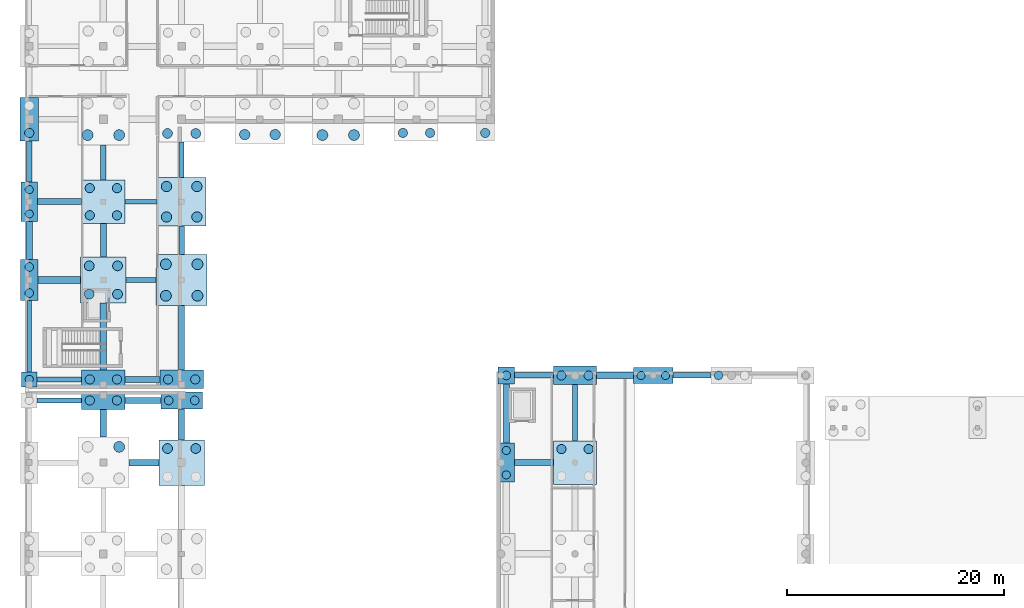
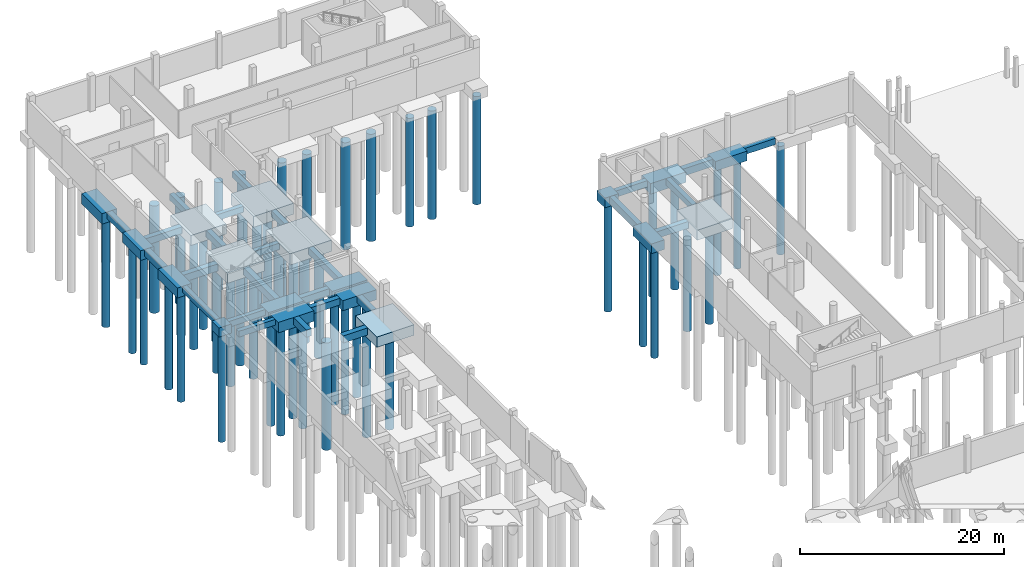
# One storey, part 6 of 41: 54 piles, 44 footings.
"""IFC4 building model written with IfcOpenShell, lengths in metres."""

from ifc_helpers import new_model, si_unit, direction, frame, origin, origin_2d, place, context, subcontext, project, spatial, rectangle, circle, extrude, material, material_profile, profile_set, type_object, element, save


model = new_model("IFC4")

# Units and contexts
model_context = context("Model", 3, precision=1e-05, world=origin(), true_north=direction((0.0, 1.0)))
body_context = subcontext(model_context, "Body", "Model", "MODEL_VIEW")
ifc_project = project(units=[si_unit("LENGTHUNIT", "METRE"), si_unit("AREAUNIT", "SQUARE_METRE"), si_unit("VOLUMEUNIT", "CUBIC_METRE"), si_unit("PLANEANGLEUNIT", "RADIAN"), si_unit("MASSUNIT", "GRAM", prefix="KILO")], contexts=[model_context])

# Site, building, storey
site_placement = place(None, origin())
site = spatial("IfcSite", under=ifc_project, at=site_placement, CompositionType="ELEMENT")
building_placement = place(site_placement, origin())
building = spatial("IfcBuilding", under=site, at=building_placement, Name="Vardoun Plaza Health Centre", CompositionType="ELEMENT")
storey_placement = place(building_placement, frame((0.0, 0.0, -4.5)))
storey = spatial("IfcBuildingStorey", under=building, at=storey_placement, Name="B1", CompositionType="ELEMENT", Elevation=-4.5)

# Footings
ifc_material_1 = material(Name="Concrete C40/50", Category="concrete")
footing_type_1 = type_object("IfcFootingType", Name="PC-01", PredefinedType="PILE_CAP", material=ifc_material_1)
footing_1_placement = place(storey_placement, frame((4.8798828125, 77.56005859375, -1.52001953125), z_axis=(0.0, 0.0, 1.0), x_axis=(1.0, 0.0, 0.0)))
element("IfcFooting", 1, at=footing_1_placement, inside=storey, type_object=footing_type_1, Name="V3 Pile Cap PC-V3-01", PredefinedType="PILE_CAP", context=body_context, shape_type="SweptSolid", body=[
    extrude(rectangle(XDim=1.39990234375, YDim=1.39990234375, at=origin_2d()), origin(), (0.0, 0.0, 1.0), 1.10009765625),
])
ifc_material_2 = material(Name="Concrete C40/50", Category="concrete")
footing_type_2 = type_object("IfcFootingType", Name="PC-02", PredefinedType="PILE_CAP", material=ifc_material_2)
footing_2_placement = place(storey_placement, frame((48.760009765625, 77.919921875, -1.570068359375), z_axis=(0.0, 0.0, 1.0), x_axis=(1.0, 0.0, 0.0)))
element("IfcFooting", 2, at=footing_2_placement, inside=storey, type_object=footing_type_2, Name="V1 Pile Cap PC-V1-06", PredefinedType="PILE_CAP", context=body_context, shape_type="SweptSolid", body=[
    extrude(rectangle(XDim=1.550048828125, YDim=1.550048828125, at=origin_2d()), origin(), (0.0, 0.0, 1.0), 1.14990234375),
])
ifc_material_3 = material(Name="Concrete C40/50", Category="concrete")
footing_type_3 = type_object("IfcFootingType", Name="PC-03", PredefinedType="PILE_CAP", material=ifc_material_3)
for number, where, z_axis, x_axis, name in (
    (3, (48.760009765625, 69.89990234375, -1.570068359375), (0.0, 0.0, 1.0), (0.0, 1.0, 0.0), "V1 Pile Cap PC-V1-05"),
    (4, (62.280029296875, 77.919921875, -1.570068359375), (0.0, 0.0, 1.0), (1.0, 0.0, 0.0), "V1 Pile Cap PC-V1-14"),
    (5, (4.8798828125, 93.89990234375, -1.570068359375), (0.0, 0.0, 1.0), (0.0, 1.0, 0.0), "V3 Pile Cap PC-V3-03"),
):
    element("IfcFooting", number, at=place(storey_placement, frame(where, z_axis=z_axis, x_axis=x_axis)), inside=storey, type_object=footing_type_3, Name=name, PredefinedType="PILE_CAP", context=body_context, shape_type="SweptSolid", body=[
        extrude(rectangle(XDim=3.60009765625, YDim=1.5, at=origin_2d()), origin(), (0.0, 0.0, 1.0), 1.14990234375),
    ])
ifc_material_4 = material(Name="Concrete C40/50", Category="concrete")
footing_type_4 = type_object("IfcFootingType", Name="PC-04", PredefinedType="PILE_CAP", material=ifc_material_4)
for number, where, z_axis, x_axis, name in (
    (6, (18.89990234375, 75.6201171875, -1.6201171875), (0.0, 0.0, 1.0), (1.0, 0.0, 0.0), "V2 Pile Cap PC-V2-30"),
    (7, (4.8798828125, 86.699951171875, -1.6201171875), (0.0, 0.0, 1.0), (0.0, 1.0, 0.0), "V3 Pile Cap PC-V3-02"),
):
    element("IfcFooting", number, at=place(storey_placement, frame(where, z_axis=z_axis, x_axis=x_axis)), inside=storey, type_object=footing_type_4, Name=name, PredefinedType="PILE_CAP", context=body_context, shape_type="SweptSolid", body=[
        extrude(rectangle(XDim=3.800048828125, YDim=1.60009765625, at=origin_2d()), origin(), (0.0, 0.0, 1.0), 1.199951171875),
    ])
ifc_material_5 = material(Name="Concrete C40/50", Category="concrete")
footing_type_5 = type_object("IfcFootingType", Name="PC-05", PredefinedType="PILE_CAP", material=ifc_material_5)
for number, where, z_axis, x_axis, name in (
    (8, (55.080078125, 77.919921875, -1.669921875), (0.0, 0.0, 1.0), (1.0, 0.0, 0.0), "V1 Pile Cap PC-V1-12"),
    (9, (11.699951171875, 75.6201171875, -1.669921875), (0.0, 0.0, 1.0), (1.0, 0.0, 0.0), "V2 Pile Cap PC-V2-20"),
    (10, (4.8798828125, 101.47998046875, -1.669921875), (0.0, 0.0, 1.0), (0.0, 1.0, 0.0), "V3 Pile Cap PC-V3-04"),
    (11, (11.699951171875, 77.56005859375, -1.669921875), (0.0, 0.0, 1.0), (1.0, 0.0, 0.0), "V3 Pile Cap PC-V3-07"),
    (12, (18.89990234375, 77.56005859375, -1.669921875), (0.0, 0.0, 1.0), (1.0, 0.0, 0.0), "V3 Pile Cap PC-V3-13"),
):
    element("IfcFooting", number, at=place(storey_placement, frame(where, z_axis=z_axis, x_axis=x_axis)), inside=storey, type_object=footing_type_5, Name=name, PredefinedType="PILE_CAP", context=body_context, shape_type="SweptSolid", body=[
        extrude(rectangle(XDim=4.0, YDim=1.699951171875, at=origin_2d()), origin(), (0.0, 0.0, 1.0), 1.25),
    ])
ifc_material_6 = material(Name="Concrete C40/50", Category="concrete")
footing_type_6 = type_object("IfcFootingType", Name="PC-06", PredefinedType="PILE_CAP", material=ifc_material_6)
for number, where, z_axis, x_axis, name in (
    (13, (55.080078125, 69.89990234375, -1.6201171875), (0.0, 0.0, 1.0), (1.0, 0.0, 0.0), "V1 Pile Cap PC-V1-11"),
    (14, (11.699951171875, 93.89990234375, -1.6201171875), (0.0, 0.0, 1.0), (1.0, 0.0, 0.0), "V3 Pile Cap PC-V3-09"),
):
    element("IfcFooting", number, at=place(storey_placement, frame(where, z_axis=z_axis, x_axis=x_axis)), inside=storey, type_object=footing_type_6, Name=name, PredefinedType="PILE_CAP", context=body_context, shape_type="SweptSolid", body=[
        extrude(rectangle(XDim=4.0, YDim=4.0, at=origin_2d()), origin(), (0.0, 0.0, 1.0), 1.199951171875),
    ])
ifc_material_7 = material(Name="Concrete C40/50", Category="concrete")
footing_type_7 = type_object("IfcFootingType", Name="PC-07", PredefinedType="PILE_CAP", material=ifc_material_7)
for number, where, z_axis, x_axis, name in (
    (15, (18.89990234375, 69.89990234375, -1.669921875), (0.0, 0.0, 1.0), (1.0, 0.0, 0.0), "V2 Pile Cap PC-V2-29"),
    (16, (11.699951171875, 86.699951171875, -1.669921875), (0.0, 0.0, 1.0), (1.0, 0.0, 0.0), "V3 Pile Cap PC-V3-08"),
):
    element("IfcFooting", number, at=place(storey_placement, frame(where, z_axis=z_axis, x_axis=x_axis)), inside=storey, type_object=footing_type_7, Name=name, PredefinedType="PILE_CAP", context=body_context, shape_type="SweptSolid", body=[
        extrude(rectangle(XDim=4.199951171875, YDim=4.199951171875, at=origin_2d()), origin(), (0.0, 0.0, 1.0), 1.25),
    ])
ifc_material_8 = material(Name="Concrete C40/50", Category="concrete")
footing_type_8 = type_object("IfcFootingType", Name="PC-08", PredefinedType="PILE_CAP", material=ifc_material_8)
footing_3_placement = place(storey_placement, frame((18.89990234375, 93.89990234375, -1.72021484375), z_axis=(0.0, 0.0, 1.0), x_axis=(1.0, 0.0, 0.0)))
element("IfcFooting", 17, at=footing_3_placement, inside=storey, type_object=footing_type_8, Name="V3 Pile Cap PC-V3-15", PredefinedType="PILE_CAP", context=body_context, shape_type="SweptSolid", body=[
    extrude(rectangle(XDim=4.5, YDim=4.5, at=origin_2d()), origin(), (0.0, 0.0, 1.0), 1.300048828125),
])
ifc_material_9 = material(Name="Concrete C40/50", Category="concrete")
footing_type_9 = type_object("IfcFootingType", Name="PC-09", PredefinedType="PILE_CAP", material=ifc_material_9)
footing_4_placement = place(storey_placement, frame((18.89990234375, 86.699951171875, -1.77001953125), z_axis=(0.0, 0.0, 1.0), x_axis=(1.0, 0.0, 0.0)))
element("IfcFooting", 18, at=footing_4_placement, inside=storey, type_object=footing_type_9, Name="V3 Pile Cap PC-V3-14", PredefinedType="PILE_CAP", context=body_context, shape_type="SweptSolid", body=[
    extrude(rectangle(XDim=4.699951171875, YDim=4.699951171875, at=origin_2d()), origin(), (0.0, 0.0, 1.0), 1.35009765625),
])
ifc_material_10 = material(Name="Concrete C40/50", Category="concrete")
ifc_material_profile_1 = material_profile(ifc_material_10, rectangle(XDim=0.449951171875, YDim=0.699951171875, at=origin_2d()), Name="GB 450x700")
ifc_profile_set_1 = profile_set([ifc_material_profile_1], Name="Concrete C40/50")
footing_type_10 = type_object("IfcFootingType", Name="GB-01", PredefinedType="FOOTING_BEAM", material=ifc_profile_set_1)
for number, where, z_axis, x_axis, name in (
    (19, (5.580078125, 75.6201171875, -0.77001953125), (1.0, 0.0, 0.0), (0.0, 1.0, 0.0), "V2 Ground Tie Beam 10"),
    (20, (5.580078125, 77.56005859375, -0.77001953125), (1.0, 0.0, 0.0), (0.0, 1.0, 0.0), "V3 Ground Tie Beam 1"),
):
    element("IfcFooting", number, at=place(storey_placement, frame(where, z_axis=z_axis, x_axis=x_axis)), inside=storey, type_object=footing_type_10, Name=name, PredefinedType="FOOTING_BEAM", context=body_context, shape_type="SweptSolid", body=[
        extrude(rectangle(XDim=0.449951171875, YDim=0.699951171875, at=origin_2d()), origin(), (0.0, 0.0, 1.0), 4.119873046875),
    ])
footing_5_placement = place(storey_placement, frame((13.699951171875, 93.900146484375, -0.77001953125), z_axis=(1.0, 0.0, 0.0), x_axis=(0.0, 1.0, 0.0)))
element("IfcFooting", 21, at=footing_5_placement, inside=storey, type_object=footing_type_10, Name="V3 Ground Tie Beam 9", PredefinedType="FOOTING_BEAM", context=body_context, shape_type="SweptSolid", body=[
    extrude(rectangle(XDim=0.449951171875, YDim=0.699951171875, at=origin_2d()), origin(), (0.0, 0.0, 1.0), 2.949951171875),
])
footing_6_placement = place(storey_placement, frame((4.8798828125, 78.260009765625, -0.77001953125), z_axis=(0.0, 1.0, 0.0), x_axis=(-1.0, 0.0, 0.0)))
element("IfcFooting", 22, at=footing_6_placement, inside=storey, type_object=footing_type_10, Name="V3 Ground Tie Beam 25", PredefinedType="FOOTING_BEAM", context=body_context, shape_type="SweptSolid", body=[
    extrude(rectangle(XDim=0.449951171875, YDim=0.699951171875, at=origin_2d()), origin(), (0.0, 0.0, 1.0), 6.5400390625),
])
footing_7_placement = place(storey_placement, frame((18.89990234375, 96.150146484375, -0.77001953125), z_axis=(0.0, 1.0, 0.0), x_axis=(-1.0, 0.0, 0.0)))
element("IfcFooting", 23, at=footing_7_placement, inside=storey, type_object=footing_type_10, Name="V3 Ground Tie Beam 37", PredefinedType="FOOTING_BEAM", context=body_context, shape_type="SweptSolid", body=[
    extrude(rectangle(XDim=0.449951171875, YDim=0.699951171875, at=origin_2d()), origin(), (0.0, 0.0, 1.0), 3.229736328125),
])
ifc_material_11 = material(Name="Concrete C40/50", Category="concrete")
ifc_material_profile_2 = material_profile(ifc_material_11, rectangle(XDim=0.5, YDim=0.75, at=origin_2d()), Name="GB 500x750")
ifc_profile_set_2 = profile_set([ifc_material_profile_2], Name="Concrete C40/50")
footing_type_11 = type_object("IfcFootingType", Name="GB-02", PredefinedType="FOOTING_BEAM", material=ifc_profile_set_2)
footing_8_placement = place(storey_placement, frame((49.534912109375, 77.919921875, -0.794921875), z_axis=(1.0, 0.0, 0.0), x_axis=(0.0, 1.0, 0.0)))
element("IfcFooting", 24, at=footing_8_placement, inside=storey, type_object=footing_type_11, Name="V1 Ground Tie Beam 6", PredefinedType="FOOTING_BEAM", context=body_context, shape_type="SweptSolid", body=[
    extrude(rectangle(XDim=0.5, YDim=0.75, at=origin_2d()), origin(), (0.0, 0.0, 1.0), 3.545166015625),
])
footing_9_placement = place(storey_placement, frame((64.080078125, 77.919921875, -0.794921875), z_axis=(1.0, 0.0, 0.0), x_axis=(0.0, 1.0, 0.0)))
element("IfcFooting", 25, at=footing_9_placement, inside=storey, type_object=footing_type_11, Name="V1 Ground Tie Beam 10", PredefinedType="FOOTING_BEAM", context=body_context, shape_type="SweptSolid", body=[
    extrude(rectangle(XDim=0.5, YDim=0.75, at=origin_2d()), origin(), (0.0, 0.0, 1.0), 3.5),
])
footing_10_placement = place(storey_placement, frame((55.080078125, 71.900146484375, -0.794921875), z_axis=(0.0, 1.0, 0.0), x_axis=(-1.0, 0.0, 0.0)))
element("IfcFooting", 26, at=footing_10_placement, inside=storey, type_object=footing_type_11, Name="V1 Ground Tie Beam 22", PredefinedType="FOOTING_BEAM", context=body_context, shape_type="SweptSolid", body=[
    extrude(rectangle(XDim=0.5, YDim=0.75, at=origin_2d()), origin(), (0.0, 0.0, 1.0), 5.169921875),
])
footing_11_placement = place(storey_placement, frame((13.800048828125, 86.699951171875, -0.794921875), z_axis=(1.0, 0.0, 0.0), x_axis=(0.0, 1.0, 0.0)))
element("IfcFooting", 27, at=footing_11_placement, inside=storey, type_object=footing_type_11, Name="V3 Ground Tie Beam 8", PredefinedType="FOOTING_BEAM", context=body_context, shape_type="SweptSolid", body=[
    extrude(rectangle(XDim=0.5, YDim=0.75, at=origin_2d()), origin(), (0.0, 0.0, 1.0), 2.75),
])
footing_12_placement = place(storey_placement, frame((11.699951171875, 95.900146484375, -0.794921875), z_axis=(0.0, 1.0, 0.0), x_axis=(-1.0, 0.0, 0.0)))
element("IfcFooting", 28, at=footing_12_placement, inside=storey, type_object=footing_type_11, Name="V3 Ground Tie Beam 32", PredefinedType="FOOTING_BEAM", context=body_context, shape_type="SweptSolid", body=[
    extrude(rectangle(XDim=0.5, YDim=0.75, at=origin_2d()), origin(), (0.0, 0.0, 1.0), 3.229736328125),
])
footing_13_placement = place(storey_placement, frame((18.89990234375, 89.050048828125, -0.794921875), z_axis=(0.0, 1.0, 0.0), x_axis=(-1.0, 0.0, 0.0)))
element("IfcFooting", 29, at=footing_13_placement, inside=storey, type_object=footing_type_11, Name="V3 Ground Tie Beam 36", PredefinedType="FOOTING_BEAM", context=body_context, shape_type="SweptSolid", body=[
    extrude(rectangle(XDim=0.5, YDim=0.75, at=origin_2d()), origin(), (0.0, 0.0, 1.0), 2.60009765625),
])
ifc_material_12 = material(Name="Concrete C40/50", Category="concrete")
ifc_material_profile_3 = material_profile(ifc_material_12, rectangle(XDim=0.550048828125, YDim=0.800048828125, at=origin_2d()), Name="GB 550x800")
ifc_profile_set_3 = profile_set([ifc_material_profile_3], Name="Concrete C40/50")
footing_type_12 = type_object("IfcFootingType", Name="GB-03", PredefinedType="FOOTING_BEAM", material=ifc_profile_set_3)
footing_14_placement = place(storey_placement, frame((49.510009765625, 69.900146484375, -0.820068359375), z_axis=(1.0, 0.0, 0.0), x_axis=(0.0, 1.0, 0.0)))
element("IfcFooting", 30, at=footing_14_placement, inside=storey, type_object=footing_type_12, Name="V1 Ground Tie Beam 5", PredefinedType="FOOTING_BEAM", context=body_context, shape_type="SweptSolid", body=[
    extrude(rectangle(XDim=0.550048828125, YDim=0.800048828125, at=origin_2d()), origin(), (0.0, 0.0, 1.0), 3.570068359375),
])
footing_15_placement = place(storey_placement, frame((48.760009765625, 71.699951171875, -0.820068359375), z_axis=(0.0, 1.0, 0.0), x_axis=(-1.0, 0.0, 0.0)))
element("IfcFooting", 31, at=footing_15_placement, inside=storey, type_object=footing_type_12, Name="V1 Ground Tie Beam 17", PredefinedType="FOOTING_BEAM", context=body_context, shape_type="SweptSolid", body=[
    extrude(rectangle(XDim=0.550048828125, YDim=0.800048828125, at=origin_2d()), origin(), (0.0, 0.0, 1.0), 5.445068359375),
])
footing_16_placement = place(storey_placement, frame((13.699951171875, 75.6201171875, -0.820068359375), z_axis=(1.0, 0.0, 0.0), x_axis=(0.0, 1.0, 0.0)))
element("IfcFooting", 32, at=footing_16_placement, inside=storey, type_object=footing_type_12, Name="V2 Ground Tie Beam 20", PredefinedType="FOOTING_BEAM", context=body_context, shape_type="SweptSolid", body=[
    extrude(rectangle(XDim=0.550048828125, YDim=0.800048828125, at=origin_2d()), origin(), (0.0, 0.0, 1.0), 3.300048828125),
])
footing_17_placement = place(storey_placement, frame((18.89990234375, 72.0, -0.820068359375), z_axis=(0.0, 1.0, 0.0), x_axis=(-1.0, 0.0, 0.0)))
element("IfcFooting", 33, at=footing_17_placement, inside=storey, type_object=footing_type_12, Name="V2 Ground Tie Beam 60", PredefinedType="FOOTING_BEAM", context=body_context, shape_type="SweptSolid", body=[
    extrude(rectangle(XDim=0.550048828125, YDim=0.800048828125, at=origin_2d()), origin(), (0.0, 0.0, 1.0), 2.820068359375),
])
footing_18_placement = place(storey_placement, frame((5.6298828125, 93.900146484375, -0.820068359375), z_axis=(1.0, 0.0, 0.0), x_axis=(0.0, 1.0, 0.0)))
element("IfcFooting", 34, at=footing_18_placement, inside=storey, type_object=footing_type_12, Name="V3 Ground Tie Beam 3", PredefinedType="FOOTING_BEAM", context=body_context, shape_type="SweptSolid", body=[
    extrude(rectangle(XDim=0.550048828125, YDim=0.800048828125, at=origin_2d()), origin(), (0.0, 0.0, 1.0), 4.070068359375),
])
footing_19_placement = place(storey_placement, frame((13.699951171875, 77.56005859375, -0.820068359375), z_axis=(1.0, 0.0, 0.0), x_axis=(0.0, 1.0, 0.0)))
element("IfcFooting", 35, at=footing_19_placement, inside=storey, type_object=footing_type_12, Name="V3 Ground Tie Beam 7", PredefinedType="FOOTING_BEAM", context=body_context, shape_type="SweptSolid", body=[
    extrude(rectangle(XDim=0.550048828125, YDim=0.800048828125, at=origin_2d()), origin(), (0.0, 0.0, 1.0), 3.199951171875),
])
footing_20_placement = place(storey_placement, frame((4.8798828125, 95.699951171875, -0.820068359375), z_axis=(0.0, 1.0, 0.0), x_axis=(-1.0, 0.0, 0.0)))
element("IfcFooting", 36, at=footing_20_placement, inside=storey, type_object=footing_type_12, Name="V3 Ground Tie Beam 27", PredefinedType="FOOTING_BEAM", context=body_context, shape_type="SweptSolid", body=[
    extrude(rectangle(XDim=0.550048828125, YDim=0.800048828125, at=origin_2d()), origin(), (0.0, 0.0, 1.0), 3.780029296875),
])
footing_21_placement = place(storey_placement, frame((11.699951171875, 88.800048828125, -0.820068359375), z_axis=(0.0, 1.0, 0.0), x_axis=(-1.0, 0.0, 0.0)))
element("IfcFooting", 37, at=footing_21_placement, inside=storey, type_object=footing_type_12, Name="V3 Ground Tie Beam 31", PredefinedType="FOOTING_BEAM", context=body_context, shape_type="SweptSolid", body=[
    extrude(rectangle(XDim=0.550048828125, YDim=0.800048828125, at=origin_2d()), origin(), (0.0, 0.0, 1.0), 3.10009765625),
])
footing_22_placement = place(storey_placement, frame((18.89990234375, 78.409912109375, -0.820068359375), z_axis=(0.0, 1.0, 0.0), x_axis=(-1.0, 0.0, 0.0)))
element("IfcFooting", 38, at=footing_22_placement, inside=storey, type_object=footing_type_12, Name="V3 Ground Tie Beam 35", PredefinedType="FOOTING_BEAM", context=body_context, shape_type="SweptSolid", body=[
    extrude(rectangle(XDim=0.550048828125, YDim=0.800048828125, at=origin_2d()), origin(), (0.0, 0.0, 1.0), 5.940185546875),
])
ifc_material_13 = material(Name="Concrete C40/50", Category="concrete")
ifc_material_profile_4 = material_profile(ifc_material_13, rectangle(XDim=0.60009765625, YDim=0.85009765625, at=origin_2d()), Name="GB 600x850")
ifc_profile_set_4 = profile_set([ifc_material_profile_4], Name="Concrete C40/50")
footing_type_13 = type_object("IfcFootingType", Name="GB-04", PredefinedType="FOOTING_BEAM", material=ifc_profile_set_4)
footing_23_placement = place(storey_placement, frame((57.080078125, 77.919921875, -0.844970703125), z_axis=(1.0, 0.0, 0.0), x_axis=(0.0, 1.0, 0.0)))
element("IfcFooting", 39, at=footing_23_placement, inside=storey, type_object=footing_type_13, Name="V1 Ground Tie Beam 8", PredefinedType="FOOTING_BEAM", context=body_context, shape_type="SweptSolid", body=[
    extrude(rectangle(XDim=0.60009765625, YDim=0.85009765625, at=origin_2d()), origin(), (0.0, 0.0, 1.0), 3.39990234375),
])
footing_24_placement = place(storey_placement, frame((14.050048828125, 69.900146484375, -0.844970703125), z_axis=(1.0, 0.0, 0.0), x_axis=(0.0, 1.0, 0.0)))
element("IfcFooting", 40, at=footing_24_placement, inside=storey, type_object=footing_type_13, Name="V2 Ground Tie Beam 19", PredefinedType="FOOTING_BEAM", context=body_context, shape_type="SweptSolid", body=[
    extrude(rectangle(XDim=0.60009765625, YDim=0.85009765625, at=origin_2d()), origin(), (0.0, 0.0, 1.0), 2.75),
])
footing_25_placement = place(storey_placement, frame((11.699951171875, 72.25, -0.844970703125), z_axis=(0.0, 1.0, 0.0), x_axis=(-1.0, 0.0, 0.0)))
element("IfcFooting", 41, at=footing_25_placement, inside=storey, type_object=footing_type_13, Name="V2 Ground Tie Beam 51", PredefinedType="FOOTING_BEAM", context=body_context, shape_type="SweptSolid", body=[
    extrude(rectangle(XDim=0.60009765625, YDim=0.85009765625, at=origin_2d()), origin(), (0.0, 0.0, 1.0), 2.52001953125),
])
footing_26_placement = place(storey_placement, frame((5.679931640625, 86.699951171875, -0.844970703125), z_axis=(1.0, 0.0, 0.0), x_axis=(0.0, 1.0, 0.0)))
element("IfcFooting", 42, at=footing_26_placement, inside=storey, type_object=footing_type_13, Name="V3 Ground Tie Beam 2", PredefinedType="FOOTING_BEAM", context=body_context, shape_type="SweptSolid", body=[
    extrude(rectangle(XDim=0.60009765625, YDim=0.85009765625, at=origin_2d()), origin(), (0.0, 0.0, 1.0), 3.920166015625),
])
footing_27_placement = place(storey_placement, frame((4.8798828125, 88.60009765625, -0.844970703125), z_axis=(0.0, 1.0, 0.0), x_axis=(-1.0, 0.0, 0.0)))
element("IfcFooting", 43, at=footing_27_placement, inside=storey, type_object=footing_type_13, Name="V3 Ground Tie Beam 26", PredefinedType="FOOTING_BEAM", context=body_context, shape_type="SweptSolid", body=[
    extrude(rectangle(XDim=0.60009765625, YDim=0.85009765625, at=origin_2d()), origin(), (0.0, 0.0, 1.0), 3.5),
])
footing_28_placement = place(storey_placement, frame((11.699951171875, 78.409912109375, -0.844970703125), z_axis=(0.0, 1.0, 0.0), x_axis=(-1.0, 0.0, 0.0)))
element("IfcFooting", 44, at=footing_28_placement, inside=storey, type_object=footing_type_13, Name="V3 Ground Tie Beam 30", PredefinedType="FOOTING_BEAM", context=body_context, shape_type="SweptSolid", body=[
    extrude(rectangle(XDim=0.60009765625, YDim=0.85009765625, at=origin_2d()), origin(), (0.0, 0.0, 1.0), 6.190185546875),
])

# Piles
ifc_material_14 = material(Name="Concrete C40/50", Category="concrete")
ifc_material_profile_5 = material_profile(ifc_material_14, circle(Radius=0.5, at=origin_2d()), Name="PILE D1000")
ifc_profile_set_5 = profile_set([ifc_material_profile_5], Name="Concrete C40/50")
pile_type_1 = type_object("IfcPileType", Name="PL-06", PredefinedType="BORED", material=ifc_profile_set_5)
for number, where, z_axis, x_axis, name in (
    (45, (13.14990234375, 71.35009765625, -1.669921875), (0.0, 0.0, -1.0), (1.0, 0.0, 0.0), "V2 Bored Pile PL-V2-19D"),
    (46, (10.25, 100.030029296875, -1.669921875), (0.0, 0.0, -1.0), (1.0, 0.0, 0.0), "V3 Bored Pile PL-V3-10A"),
    (47, (13.14990234375, 100.030029296875, -1.669921875), (0.0, 0.0, -1.0), (1.0, 0.0, 0.0), "V3 Bored Pile PL-V3-10B"),
    (48, (17.449951171875, 85.25, -1.669921875), (0.0, 0.0, -1.0), (1.0, 0.0, 0.0), "V3 Bored Pile PL-V3-14A"),
    (49, (20.35009765625, 85.25, -1.669921875), (0.0, 0.0, -1.0), (1.0, 0.0, 0.0), "V3 Bored Pile PL-V3-14B"),
    (50, (17.449951171875, 88.14990234375, -1.669921875), (0.0, 0.0, -1.0), (1.0, 0.0, 0.0), "V3 Bored Pile PL-V3-14C"),
    (51, (20.35009765625, 88.14990234375, -1.669921875), (0.0, 0.0, -1.0), (1.0, 0.0, 0.0), "V3 Bored Pile PL-V3-14D"),
    (52, (31.85009765625, 100.030029296875, -1.669921875), (0.0, 0.0, -1.0), (1.0, 0.0, 0.0), "V3 Bored Pile PL-V3-22A"),
    (53, (34.75, 100.030029296875, -1.669921875), (0.0, 0.0, -1.0), (1.0, 0.0, 0.0), "V3 Bored Pile PL-V3-22B"),
):
    element("IfcPile", number, at=place(storey_placement, frame(where, z_axis=z_axis, x_axis=x_axis)), inside=storey, type_object=pile_type_1, Name=name, PredefinedType="BORED", context=body_context, shape_type="SweptSolid", body=[
        extrude(circle(Radius=0.5, at=origin_2d()), origin(), (0.0, 0.0, 1.0), 12.830078125),
    ])
ifc_material_15 = material(Name="Concrete C40/50", Category="concrete")
ifc_material_profile_6 = material_profile(ifc_material_15, circle(Radius=0.375, at=origin_2d()), Name="PILE D750")
ifc_profile_set_6 = profile_set([ifc_material_profile_6], Name="Concrete C40/50")
pile_type_2 = type_object("IfcPileType", Name="PL-01", PredefinedType="BORED", material=ifc_profile_set_6)
for number, where, z_axis, x_axis, name in (
    (54, (48.760009765625, 68.780029296875, -1.469970703125), (0.0, 0.0, -1.0), (1.0, 0.0, 0.0), "V1 Bored Pile PL-V1-05A"),
    (55, (48.760009765625, 71.02001953125, -1.469970703125), (0.0, 0.0, -1.0), (1.0, 0.0, 0.0), "V1 Bored Pile PL-V1-05B"),
    (56, (61.159912109375, 77.919921875, -1.469970703125), (0.0, 0.0, -1.0), (1.0, 0.0, 0.0), "V1 Bored Pile PL-V1-14A"),
    (57, (63.39990234375, 77.919921875, -1.469970703125), (0.0, 0.0, -1.0), (1.0, 0.0, 0.0), "V1 Bored Pile PL-V1-14B"),
):
    element("IfcPile", number, at=place(storey_placement, frame(where, z_axis=z_axis, x_axis=x_axis)), inside=storey, type_object=pile_type_2, Name=name, PredefinedType="BORED", context=body_context, shape_type="SweptSolid", body=[
        extrude(circle(Radius=0.375, at=origin_2d()), origin(), (0.0, 0.0, 1.0), 13.030029296875),
    ])
pile_1_placement = place(storey_placement, frame((4.8798828125, 77.56005859375, -1.419921875), z_axis=(0.0, 0.0, -1.0), x_axis=(1.0, 0.0, 0.0)))
element("IfcPile", 58, at=pile_1_placement, inside=storey, type_object=pile_type_2, Name="V3 Bored Pile PL-V3-01A", PredefinedType="BORED", context=body_context, shape_type="SweptSolid", body=[
    extrude(circle(Radius=0.375, at=origin_2d()), origin(), (0.0, 0.0, 1.0), 13.080078125),
])
for number, where, z_axis, x_axis, name in (
    (59, (4.8798828125, 92.780029296875, -1.469970703125), (0.0, 0.0, -1.0), (1.0, 0.0, 0.0), "V3 Bored Pile PL-V3-03A"),
    (60, (4.8798828125, 95.02001953125, -1.469970703125), (0.0, 0.0, -1.0), (1.0, 0.0, 0.0), "V3 Bored Pile PL-V3-03B"),
):
    element("IfcPile", number, at=place(storey_placement, frame(where, z_axis=z_axis, x_axis=x_axis)), inside=storey, type_object=pile_type_2, Name=name, PredefinedType="BORED", context=body_context, shape_type="SweptSolid", body=[
        extrude(circle(Radius=0.375, at=origin_2d()), origin(), (0.0, 0.0, 1.0), 13.030029296875),
    ])
ifc_material_16 = material(Name="Concrete C40/50", Category="concrete")
ifc_material_profile_7 = material_profile(ifc_material_16, circle(Radius=0.39990234375, at=origin_2d()), Name="PILE D800")
ifc_profile_set_7 = profile_set([ifc_material_profile_7], Name="Concrete C40/50")
pile_type_3 = type_object("IfcPileType", Name="PL-02", PredefinedType="BORED", material=ifc_profile_set_7)
pile_2_placement = place(storey_placement, frame((48.760009765625, 77.919921875, -1.469970703125), z_axis=(0.0, 0.0, -1.0), x_axis=(1.0, 0.0, 0.0)))
element("IfcPile", 61, at=pile_2_placement, inside=storey, type_object=pile_type_3, Name="V1 Bored Pile PL-V1-06A", PredefinedType="BORED", context=body_context, shape_type="SweptSolid", body=[
    extrude(circle(Radius=0.39990234375, at=origin_2d()), origin(), (0.0, 0.0, 1.0), 13.030029296875),
])
for number, where, z_axis, x_axis, name in (
    (62, (68.280029296875, 77.919921875, -1.52001953125), (0.0, 0.0, -1.0), (1.0, 0.0, 0.0), "V1 Bored Pile PL-V1-16A"),
    (63, (17.699951171875, 75.6201171875, -1.52001953125), (0.0, 0.0, -1.0), (1.0, 0.0, 0.0), "V2 Bored Pile PL-V2-30A"),
    (64, (20.10009765625, 75.6201171875, -1.52001953125), (0.0, 0.0, -1.0), (1.0, 0.0, 0.0), "V2 Bored Pile PL-V2-30B"),
    (65, (4.8798828125, 85.5, -1.52001953125), (0.0, 0.0, -1.0), (1.0, 0.0, 0.0), "V3 Bored Pile PL-V3-02A"),
    (66, (4.8798828125, 87.89990234375, -1.52001953125), (0.0, 0.0, -1.0), (1.0, 0.0, 0.0), "V3 Bored Pile PL-V3-02B"),
):
    element("IfcPile", number, at=place(storey_placement, frame(where, z_axis=z_axis, x_axis=x_axis)), inside=storey, type_object=pile_type_3, Name=name, PredefinedType="BORED", context=body_context, shape_type="SweptSolid", body=[
        extrude(circle(Radius=0.39990234375, at=origin_2d()), origin(), (0.0, 0.0, 1.0), 12.97998046875),
    ])
ifc_material_17 = material(Name="Concrete C40/50", Category="concrete")
ifc_material_profile_8 = material_profile(ifc_material_17, circle(Radius=0.425048828125, at=origin_2d()), Name="PILE D850")
ifc_profile_set_8 = profile_set([ifc_material_profile_8], Name="Concrete C40/50")
pile_type_4 = type_object("IfcPileType", Name="PL-03", PredefinedType="BORED", material=ifc_profile_set_8)
for number, where, z_axis, x_axis, name in (
    (67, (53.830078125, 71.14990234375, -1.52001953125), (0.0, 0.0, -1.0), (1.0, 0.0, 0.0), "V1 Bored Pile PL-V1-11C"),
    (68, (56.330078125, 71.14990234375, -1.52001953125), (0.0, 0.0, -1.0), (1.0, 0.0, 0.0), "V1 Bored Pile PL-V1-11D"),
):
    element("IfcPile", number, at=place(storey_placement, frame(where, z_axis=z_axis, x_axis=x_axis)), inside=storey, type_object=pile_type_4, Name=name, PredefinedType="BORED", context=body_context, shape_type="SweptSolid", body=[
        extrude(circle(Radius=0.425048828125, at=origin_2d()), origin(), (0.0, 0.0, 1.0), 12.97998046875),
    ])
for number, where, z_axis, x_axis, name in (
    (69, (53.830078125, 77.919921875, -1.570068359375), (0.0, 0.0, -1.0), (1.0, 0.0, 0.0), "V1 Bored Pile PL-V1-12A"),
    (70, (56.330078125, 77.919921875, -1.570068359375), (0.0, 0.0, -1.0), (1.0, 0.0, 0.0), "V1 Bored Pile PL-V1-12B"),
    (71, (10.449951171875, 75.6201171875, -1.570068359375), (0.0, 0.0, -1.0), (1.0, 0.0, 0.0), "V2 Bored Pile PL-V2-20A"),
    (72, (12.949951171875, 75.6201171875, -1.570068359375), (0.0, 0.0, -1.0), (1.0, 0.0, 0.0), "V2 Bored Pile PL-V2-20B"),
    (73, (4.8798828125, 100.22998046875, -1.570068359375), (0.0, 0.0, -1.0), (1.0, 0.0, 0.0), "V3 Bored Pile PL-V3-04A"),
    (74, (10.449951171875, 77.56005859375, -1.570068359375), (0.0, 0.0, -1.0), (1.0, 0.0, 0.0), "V3 Bored Pile PL-V3-07A"),
    (75, (12.949951171875, 77.56005859375, -1.570068359375), (0.0, 0.0, -1.0), (1.0, 0.0, 0.0), "V3 Bored Pile PL-V3-07B"),
):
    element("IfcPile", number, at=place(storey_placement, frame(where, z_axis=z_axis, x_axis=x_axis)), inside=storey, type_object=pile_type_4, Name=name, PredefinedType="BORED", context=body_context, shape_type="SweptSolid", body=[
        extrude(circle(Radius=0.425048828125, at=origin_2d()), origin(), (0.0, 0.0, 1.0), 12.929931640625),
    ])
for number, where, z_axis, x_axis, name in (
    (76, (10.449951171875, 92.64990234375, -1.52001953125), (0.0, 0.0, -1.0), (1.0, 0.0, 0.0), "V3 Bored Pile PL-V3-09A"),
    (77, (12.949951171875, 92.64990234375, -1.52001953125), (0.0, 0.0, -1.0), (1.0, 0.0, 0.0), "V3 Bored Pile PL-V3-09B"),
    (78, (10.449951171875, 95.14990234375, -1.52001953125), (0.0, 0.0, -1.0), (1.0, 0.0, 0.0), "V3 Bored Pile PL-V3-09C"),
    (79, (12.949951171875, 95.14990234375, -1.52001953125), (0.0, 0.0, -1.0), (1.0, 0.0, 0.0), "V3 Bored Pile PL-V3-09D"),
):
    element("IfcPile", number, at=place(storey_placement, frame(where, z_axis=z_axis, x_axis=x_axis)), inside=storey, type_object=pile_type_4, Name=name, PredefinedType="BORED", context=body_context, shape_type="SweptSolid", body=[
        extrude(circle(Radius=0.425048828125, at=origin_2d()), origin(), (0.0, 0.0, 1.0), 12.97998046875),
    ])
for number, where, z_axis, x_axis, name in (
    (80, (17.64990234375, 77.56005859375, -1.570068359375), (0.0, 0.0, -1.0), (1.0, 0.0, 0.0), "V3 Bored Pile PL-V3-13A"),
    (81, (20.14990234375, 77.56005859375, -1.570068359375), (0.0, 0.0, -1.0), (1.0, 0.0, 0.0), "V3 Bored Pile PL-V3-13B"),
):
    element("IfcPile", number, at=place(storey_placement, frame(where, z_axis=z_axis, x_axis=x_axis)), inside=storey, type_object=pile_type_4, Name=name, PredefinedType="BORED", context=body_context, shape_type="SweptSolid", body=[
        extrude(circle(Radius=0.425048828125, at=origin_2d()), origin(), (0.0, 0.0, 1.0), 12.929931640625),
    ])
for number, where, z_axis, x_axis, name in (
    (82, (39.25, 100.22998046875, -1.52001953125), (0.0, 0.0, -1.0), (1.0, 0.0, 0.0), "V3 Bored Pile PL-V3-25A"),
    (83, (41.75, 100.22998046875, -1.52001953125), (0.0, 0.0, -1.0), (1.0, 0.0, 0.0), "V3 Bored Pile PL-V3-25B"),
):
    element("IfcPile", number, at=place(storey_placement, frame(where, z_axis=z_axis, x_axis=x_axis)), inside=storey, type_object=pile_type_4, Name=name, PredefinedType="BORED", context=body_context, shape_type="SweptSolid", body=[
        extrude(circle(Radius=0.425048828125, at=origin_2d()), origin(), (0.0, 0.0, 1.0), 12.97998046875),
    ])
pile_3_placement = place(storey_placement, frame((46.820068359375, 100.22998046875, -1.570068359375), z_axis=(0.0, 0.0, -1.0), x_axis=(1.0, 0.0, 0.0)))
element("IfcPile", 84, at=pile_3_placement, inside=storey, type_object=pile_type_4, Name="V3 Bored Pile PL-V3-28A", PredefinedType="BORED", context=body_context, shape_type="SweptSolid", body=[
    extrude(circle(Radius=0.425048828125, at=origin_2d()), origin(), (0.0, 0.0, 1.0), 12.929931640625),
])
ifc_material_18 = material(Name="Concrete C40/50", Category="concrete")
ifc_material_profile_9 = material_profile(ifc_material_18, circle(Radius=0.449951171875, at=origin_2d()), Name="PILE D900")
ifc_profile_set_9 = profile_set([ifc_material_profile_9], Name="Concrete C40/50")
pile_type_5 = type_object("IfcPileType", Name="PL-04", PredefinedType="BORED", material=ifc_profile_set_9)
for number, where, z_axis, x_axis, name in (
    (85, (17.60009765625, 71.199951171875, -1.570068359375), (0.0, 0.0, -1.0), (1.0, 0.0, 0.0), "V2 Bored Pile PL-V2-29C"),
    (86, (20.199951171875, 71.199951171875, -1.570068359375), (0.0, 0.0, -1.0), (1.0, 0.0, 0.0), "V2 Bored Pile PL-V2-29D"),
    (87, (10.39990234375, 85.39990234375, -1.570068359375), (0.0, 0.0, -1.0), (1.0, 0.0, 0.0), "V3 Bored Pile PL-V3-08A"),
    (88, (13.0, 85.39990234375, -1.570068359375), (0.0, 0.0, -1.0), (1.0, 0.0, 0.0), "V3 Bored Pile PL-V3-08B"),
    (89, (10.39990234375, 88.0, -1.570068359375), (0.0, 0.0, -1.0), (1.0, 0.0, 0.0), "V3 Bored Pile PL-V3-08C"),
    (90, (13.0, 88.0, -1.570068359375), (0.0, 0.0, -1.0), (1.0, 0.0, 0.0), "V3 Bored Pile PL-V3-08D"),
    (91, (17.60009765625, 100.179931640625, -1.570068359375), (0.0, 0.0, -1.0), (1.0, 0.0, 0.0), "V3 Bored Pile PL-V3-16A"),
    (92, (20.199951171875, 100.179931640625, -1.570068359375), (0.0, 0.0, -1.0), (1.0, 0.0, 0.0), "V3 Bored Pile PL-V3-16B"),
):
    element("IfcPile", number, at=place(storey_placement, frame(where, z_axis=z_axis, x_axis=x_axis)), inside=storey, type_object=pile_type_5, Name=name, PredefinedType="BORED", context=body_context, shape_type="SweptSolid", body=[
        extrude(circle(Radius=0.449951171875, at=origin_2d()), origin(), (0.0, 0.0, 1.0), 12.929931640625),
    ])
ifc_material_19 = material(Name="Concrete C40/50", Category="concrete")
ifc_material_profile_10 = material_profile(ifc_material_19, circle(Radius=0.47509765625, at=origin_2d()), Name="PILE D950")
ifc_profile_set_10 = profile_set([ifc_material_profile_10], Name="Concrete C40/50")
pile_type_6 = type_object("IfcPileType", Name="PL-05", PredefinedType="BORED", material=ifc_profile_set_10)
for number, where, z_axis, x_axis, name in (
    (93, (17.5, 92.5, -1.6201171875), (0.0, 0.0, -1.0), (1.0, 0.0, 0.0), "V3 Bored Pile PL-V3-15A"),
    (94, (20.300048828125, 92.5, -1.6201171875), (0.0, 0.0, -1.0), (1.0, 0.0, 0.0), "V3 Bored Pile PL-V3-15B"),
    (95, (17.5, 95.300048828125, -1.6201171875), (0.0, 0.0, -1.0), (1.0, 0.0, 0.0), "V3 Bored Pile PL-V3-15C"),
    (96, (20.300048828125, 95.300048828125, -1.6201171875), (0.0, 0.0, -1.0), (1.0, 0.0, 0.0), "V3 Bored Pile PL-V3-15D"),
    (97, (24.699951171875, 100.080078125, -1.6201171875), (0.0, 0.0, -1.0), (1.0, 0.0, 0.0), "V3 Bored Pile PL-V3-19A"),
    (98, (27.5, 100.080078125, -1.6201171875), (0.0, 0.0, -1.0), (1.0, 0.0, 0.0), "V3 Bored Pile PL-V3-19B"),
):
    element("IfcPile", number, at=place(storey_placement, frame(where, z_axis=z_axis, x_axis=x_axis)), inside=storey, type_object=pile_type_6, Name=name, PredefinedType="BORED", context=body_context, shape_type="SweptSolid", body=[
        extrude(circle(Radius=0.47509765625, at=origin_2d()), origin(), (0.0, 0.0, 1.0), 12.8798828125),
    ])

save(model, "model.ifc")
